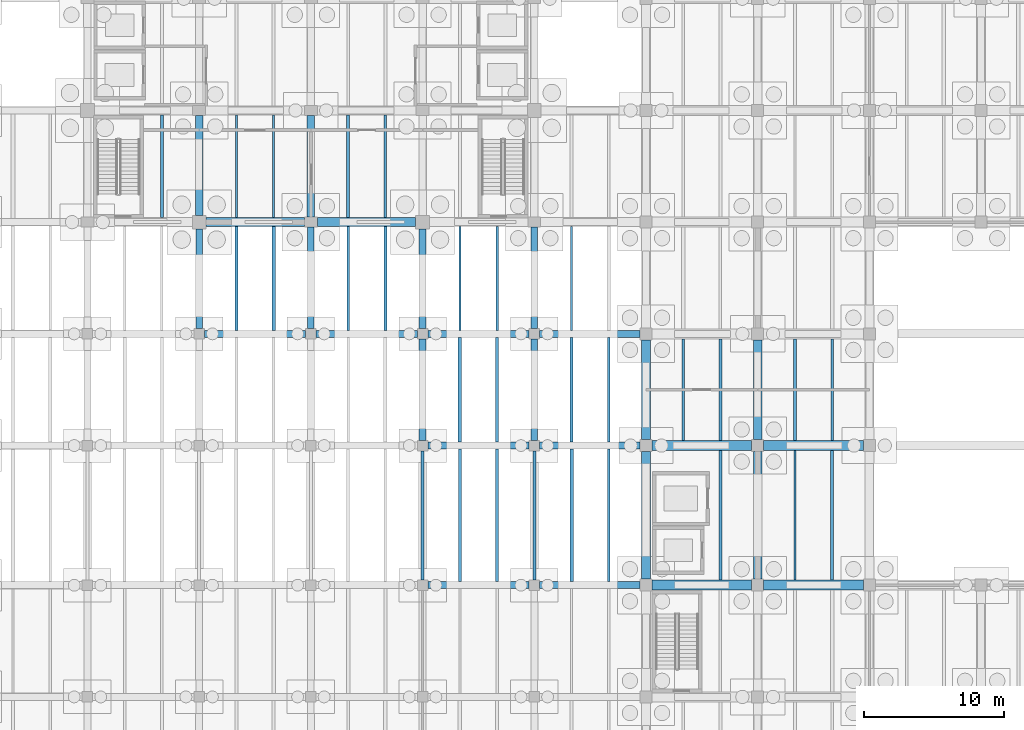
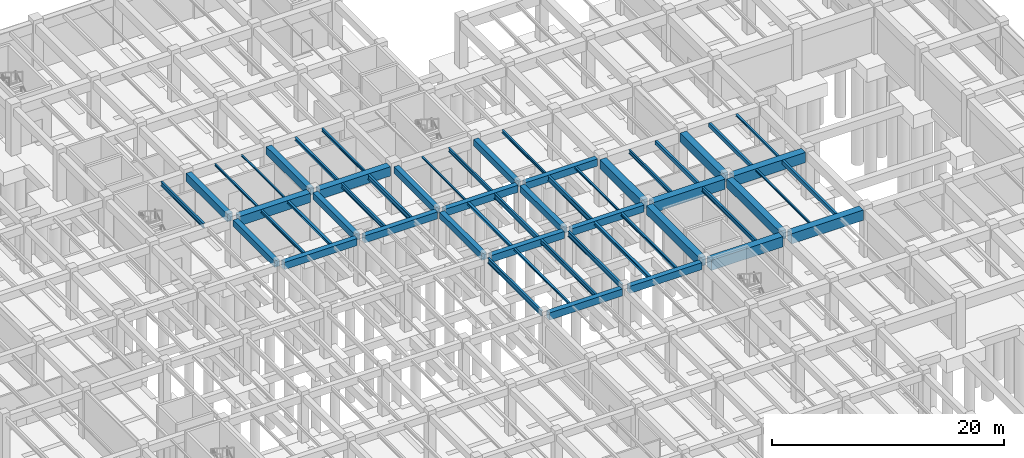
# One storey, part 18 of 44: 55 beams.
"""IFC4 building model written with IfcOpenShell, lengths in metres."""

from ifc_helpers import new_model, si_unit, direction, frame, origin, origin_2d, place, context, subcontext, project, spatial, rectangle, i_section, extrude, material, material_profile, profile_set, type_object, element, save


model = new_model("IFC4")

# Units and contexts
model_context = context("Model", 3, precision=1e-05, world=origin(), true_north=direction((0.0, 1.0)))
body_context = subcontext(model_context, "Body", "Model", "MODEL_VIEW")
ifc_project = project(units=[si_unit("LENGTHUNIT", "METRE"), si_unit("AREAUNIT", "SQUARE_METRE"), si_unit("VOLUMEUNIT", "CUBIC_METRE"), si_unit("PLANEANGLEUNIT", "RADIAN"), si_unit("MASSUNIT", "GRAM", prefix="KILO")], contexts=[model_context])

# Site, building, storey
site_placement = place(None, origin())
site = spatial("IfcSite", under=ifc_project, at=site_placement, CompositionType="ELEMENT")
building_placement = place(site_placement, origin())
building = spatial("IfcBuilding", under=site, at=building_placement, Name="Pecanmere Concourse Central Library", CompositionType="ELEMENT")
storey_placement = place(building_placement, frame((0.0, 0.0, -5.39990234375)))
storey = spatial("IfcBuildingStorey", under=building, at=storey_placement, Name="B1", CompositionType="ELEMENT", Elevation=-5.39990234375)

# Beams
ifc_material_1 = material(Name="Concrete C40/50", Category="concrete")
ifc_material_profile_1 = material_profile(ifc_material_1, rectangle(XDim=0.47998046875, YDim=0.679931640625, at=origin_2d()), Name="RC 480x680")
ifc_profile_set_1 = profile_set([ifc_material_profile_1], Name="Concrete C40/50")
beam_type_1 = type_object("IfcBeamType", Name="GRD_480x680", PredefinedType="USERDEFINED", material=ifc_profile_set_1)
beam_1_placement = place(storey_placement, frame((80.0, 82.375, 4.639892578125), z_axis=(0.0, 1.0, 0.0), x_axis=(-1.0, 0.0, 0.0)))
element("IfcBeam", 1, at=beam_1_placement, inside=storey, type_object=beam_type_1, Name="Primary Girder Y L01-0303", ObjectType="GIRDER", PredefinedType="USERDEFINED", context=body_context, shape_type="SweptSolid", body=[
    extrude(rectangle(XDim=0.47998046875, YDim=0.679931640625, at=origin_2d()), origin(), (0.0, 0.0, 1.0), 7.135009765625),
])
beam_2_placement = place(storey_placement, frame((88.0, 82.375, 4.639892578125), z_axis=(0.0, 1.0, 0.0), x_axis=(-1.0, 0.0, 0.0)))
element("IfcBeam", 2, at=beam_2_placement, inside=storey, type_object=beam_type_1, Name="Primary Girder Y L01-0315", ObjectType="GIRDER", PredefinedType="USERDEFINED", context=body_context, shape_type="SweptSolid", body=[
    extrude(rectangle(XDim=0.47998046875, YDim=0.679931640625, at=origin_2d()), origin(), (0.0, 0.0, 1.0), 7.264892578125),
])
beam_3_placement = place(storey_placement, frame((96.0, 74.375, 4.639892578125), z_axis=(0.0, 1.0, 0.0), x_axis=(-1.0, 0.0, 0.0)))
element("IfcBeam", 3, at=beam_3_placement, inside=storey, type_object=beam_type_1, Name="Primary Girder Y L01-0326", ObjectType="GIRDER", PredefinedType="USERDEFINED", context=body_context, shape_type="SweptSolid", body=[
    extrude(rectangle(XDim=0.47998046875, YDim=0.679931640625, at=origin_2d()), origin(), (0.0, 0.0, 1.0), 7.25),
])
beam_4_placement = place(storey_placement, frame((96.0, 82.375, 4.639892578125), z_axis=(0.0, 1.0, 0.0), x_axis=(-1.0, 0.0, 0.0)))
element("IfcBeam", 4, at=beam_4_placement, inside=storey, type_object=beam_type_1, Name="Primary Girder Y L01-0327", ObjectType="GIRDER", PredefinedType="USERDEFINED", context=body_context, shape_type="SweptSolid", body=[
    extrude(rectangle(XDim=0.47998046875, YDim=0.679931640625, at=origin_2d()), origin(), (0.0, 0.0, 1.0), 7.135009765625),
])
beam_5_placement = place(storey_placement, frame((104.0, 74.375, 4.639892578125), z_axis=(0.0, 1.0, 0.0), x_axis=(-1.0, 0.0, 0.0)))
element("IfcBeam", 5, at=beam_5_placement, inside=storey, type_object=beam_type_1, Name="Primary Girder Y L01-0338", ObjectType="GIRDER", PredefinedType="USERDEFINED", context=body_context, shape_type="SweptSolid", body=[
    extrude(rectangle(XDim=0.47998046875, YDim=0.679931640625, at=origin_2d()), origin(), (0.0, 0.0, 1.0), 7.25),
])
beam_6_placement = place(storey_placement, frame((104.0, 82.375, 4.639892578125), z_axis=(0.0, 1.0, 0.0), x_axis=(-1.0, 0.0, 0.0)))
element("IfcBeam", 6, at=beam_6_placement, inside=storey, type_object=beam_type_1, Name="Primary Girder Y L01-0339", ObjectType="GIRDER", PredefinedType="USERDEFINED", context=body_context, shape_type="SweptSolid", body=[
    extrude(rectangle(XDim=0.47998046875, YDim=0.679931640625, at=origin_2d()), origin(), (0.0, 0.0, 1.0), 7.264892578125),
])
ifc_material_2 = material(Name="Concrete C40/50", Category="concrete")
ifc_material_profile_2 = material_profile(ifc_material_2, rectangle(XDim=0.5, YDim=0.739990234375, at=origin_2d()), Name="RC 500x740")
ifc_profile_set_2 = profile_set([ifc_material_profile_2], Name="Concrete C40/50")
beam_type_2 = type_object("IfcBeamType", Name="GRD_500x740", PredefinedType="USERDEFINED", material=ifc_profile_set_2)
beam_7_placement = place(storey_placement, frame((96.375, 64.0, 4.60986328125), z_axis=(1.0, 0.0, 0.0), x_axis=(0.0, 1.0, 0.0)))
element("IfcBeam", 7, at=beam_7_placement, inside=storey, type_object=beam_type_2, Name="Primary Girder X L01-0126", ObjectType="GIRDER", PredefinedType="USERDEFINED", context=body_context, shape_type="SweptSolid", body=[
    extrude(rectangle(XDim=0.5, YDim=0.739990234375, at=origin_2d()), origin(), (0.0, 0.0, 1.0), 7.25),
])
beam_8_placement = place(storey_placement, frame((104.375, 64.0, 4.60986328125), z_axis=(1.0, 0.0, 0.0), x_axis=(0.0, 1.0, 0.0)))
element("IfcBeam", 8, at=beam_8_placement, inside=storey, type_object=beam_type_2, Name="Primary Girder X L01-0127", ObjectType="GIRDER", PredefinedType="USERDEFINED", context=body_context, shape_type="SweptSolid", body=[
    extrude(rectangle(XDim=0.5, YDim=0.739990234375, at=origin_2d()), origin(), (0.0, 0.0, 1.0), 7.195068359375),
])
beam_9_placement = place(storey_placement, frame((96.375, 74.0, 4.60986328125), z_axis=(1.0, 0.0, 0.0), x_axis=(0.0, 1.0, 0.0)))
element("IfcBeam", 9, at=beam_9_placement, inside=storey, type_object=beam_type_2, Name="Primary Girder X L01-0140", ObjectType="GIRDER", PredefinedType="USERDEFINED", context=body_context, shape_type="SweptSolid", body=[
    extrude(rectangle(XDim=0.5, YDim=0.739990234375, at=origin_2d()), origin(), (0.0, 0.0, 1.0), 7.25),
])
beam_10_placement = place(storey_placement, frame((104.375, 74.0, 4.60986328125), z_axis=(1.0, 0.0, 0.0), x_axis=(0.0, 1.0, 0.0)))
element("IfcBeam", 10, at=beam_10_placement, inside=storey, type_object=beam_type_2, Name="Primary Girder X L01-0141", ObjectType="GIRDER", PredefinedType="USERDEFINED", context=body_context, shape_type="SweptSolid", body=[
    extrude(rectangle(XDim=0.5, YDim=0.739990234375, at=origin_2d()), origin(), (0.0, 0.0, 1.0), 7.195068359375),
])
for number, where, z_axis, x_axis, name in (
    (11, (80.375, 82.0, 4.60986328125), (1.0, 0.0, 0.0), (0.0, 1.0, 0.0), "Primary Girder X L01-0150"),
    (12, (88.375, 82.0, 4.60986328125), (1.0, 0.0, 0.0), (0.0, 1.0, 0.0), "Primary Girder X L01-0151"),
    (13, (96.375, 82.0, 4.60986328125), (1.0, 0.0, 0.0), (0.0, 1.0, 0.0), "Primary Girder X L01-0152"),
):
    element("IfcBeam", number, at=place(storey_placement, frame(where, z_axis=z_axis, x_axis=x_axis)), inside=storey, type_object=beam_type_2, Name=name, ObjectType="GIRDER", PredefinedType="USERDEFINED", context=body_context, shape_type="SweptSolid", body=[
        extrude(rectangle(XDim=0.5, YDim=0.739990234375, at=origin_2d()), origin(), (0.0, 0.0, 1.0), 7.25),
    ])
beam_11_placement = place(storey_placement, frame((104.375, 82.0, 4.60986328125), z_axis=(1.0, 0.0, 0.0), x_axis=(0.0, 1.0, 0.0)))
element("IfcBeam", 14, at=beam_11_placement, inside=storey, type_object=beam_type_2, Name="Primary Girder X L01-0153", ObjectType="GIRDER", PredefinedType="USERDEFINED", context=body_context, shape_type="SweptSolid", body=[
    extrude(rectangle(XDim=0.5, YDim=0.739990234375, at=origin_2d()), origin(), (0.0, 0.0, 1.0), 7.195068359375),
])
ifc_material_3 = material(Name="Concrete C40/50", Category="concrete")
ifc_material_profile_3 = material_profile(ifc_material_3, rectangle(XDim=0.5400390625, YDim=0.800048828125, at=origin_2d()), Name="RC 540x800")
ifc_profile_set_3 = profile_set([ifc_material_profile_3], Name="Concrete C40/50")
beam_type_3 = type_object("IfcBeamType", Name="GRD_540x800", PredefinedType="USERDEFINED", material=ifc_profile_set_3)
beam_12_placement = place(storey_placement, frame((80.0, 90.489990234375, 4.579833984375), z_axis=(0.0, 1.0, 0.0), x_axis=(-1.0, 0.0, 0.0)))
element("IfcBeam", 15, at=beam_12_placement, inside=storey, type_object=beam_type_3, Name="Primary Girder Y L01-0304", ObjectType="GIRDER", PredefinedType="USERDEFINED", context=body_context, shape_type="SweptSolid", body=[
    extrude(rectangle(XDim=0.5400390625, YDim=0.800048828125, at=origin_2d()), origin(), (0.0, 0.0, 1.0), 7.14990234375),
])
beam_13_placement = place(storey_placement, frame((88.0, 90.360107421875, 4.579833984375), z_axis=(0.0, 1.0, 0.0), x_axis=(-1.0, 0.0, 0.0)))
element("IfcBeam", 16, at=beam_13_placement, inside=storey, type_object=beam_type_3, Name="Primary Girder Y L01-0316", ObjectType="GIRDER", PredefinedType="USERDEFINED", context=body_context, shape_type="SweptSolid", body=[
    extrude(rectangle(XDim=0.5400390625, YDim=0.800048828125, at=origin_2d()), origin(), (0.0, 0.0, 1.0), 7.27978515625),
])
ifc_material_4 = material(Name="Concrete C40/50", Category="concrete")
ifc_material_profile_4 = material_profile(ifc_material_4, rectangle(XDim=0.6201171875, YDim=0.919921875, at=origin_2d()), Name="RC 620x920")
ifc_profile_set_4 = profile_set([ifc_material_profile_4], Name="Concrete C40/50")
beam_type_4 = type_object("IfcBeamType", Name="GRD_620x920", PredefinedType="USERDEFINED", material=ifc_profile_set_4)
for number, where, z_axis, x_axis, name in (
    (17, (112.0, 64.429931640625, 4.52001953125), (0.0, 1.0, 0.0), (-1.0, 0.0, 0.0), "Primary Girder Y L01-0349"),
    (18, (120.0, 64.429931640625, 4.52001953125), (0.0, 1.0, 0.0), (-1.0, 0.0, 0.0), "Primary Girder Y L01-0359"),
):
    element("IfcBeam", number, at=place(storey_placement, frame(where, z_axis=z_axis, x_axis=x_axis)), inside=storey, type_object=beam_type_4, Name=name, ObjectType="GIRDER", PredefinedType="USERDEFINED", context=body_context, shape_type="SweptSolid", body=[
        extrude(rectangle(XDim=0.6201171875, YDim=0.919921875, at=origin_2d()), origin(), (0.0, 0.0, 1.0), 9.14013671875),
    ])
ifc_material_5 = material(Name="Concrete C40/50", Category="concrete")
ifc_material_profile_5 = material_profile(ifc_material_5, rectangle(XDim=0.639892578125, YDim=0.949951171875, at=origin_2d()), Name="RC 640x950")
ifc_profile_set_5 = profile_set([ifc_material_profile_5], Name="Concrete C40/50")
beam_type_5 = type_object("IfcBeamType", Name="GRD_640x950", PredefinedType="USERDEFINED", material=ifc_profile_set_5)
for number, where, z_axis, x_axis, name in (
    (19, (112.0, 74.429931640625, 4.5048828125), (0.0, 1.0, 0.0), (-1.0, 0.0, 0.0), "Primary Girder Y L01-0350"),
    (20, (120.0, 74.429931640625, 4.5048828125), (0.0, 1.0, 0.0), (-1.0, 0.0, 0.0), "Primary Girder Y L01-0360"),
):
    element("IfcBeam", number, at=place(storey_placement, frame(where, z_axis=z_axis, x_axis=x_axis)), inside=storey, type_object=beam_type_5, Name=name, ObjectType="GIRDER", PredefinedType="USERDEFINED", context=body_context, shape_type="SweptSolid", body=[
        extrude(rectangle(XDim=0.639892578125, YDim=0.949951171875, at=origin_2d()), origin(), (0.0, 0.0, 1.0), 7.14013671875),
    ])
ifc_material_6 = material(Name="Concrete C40/50", Category="concrete")
ifc_material_profile_6 = material_profile(ifc_material_6, rectangle(XDim=0.659912109375, YDim=0.97998046875, at=origin_2d()), Name="RC 660x980")
ifc_profile_set_6 = profile_set([ifc_material_profile_6], Name="Concrete C40/50")
beam_type_6 = type_object("IfcBeamType", Name="GRD_660x980", PredefinedType="USERDEFINED", material=ifc_profile_set_6)
for number, where, z_axis, x_axis, name in (
    (21, (80.489990234375, 90.0, 4.489990234375), (1.0, 0.0, 0.0), (0.0, 1.0, 0.0), "Primary Girder X L01-0164"),
    (22, (88.4599609375, 90.0, 4.489990234375), (1.0, 0.0, 0.0), (0.0, 1.0, 0.0), "Primary Girder X L01-0165"),
):
    element("IfcBeam", number, at=place(storey_placement, frame(where, z_axis=z_axis, x_axis=x_axis)), inside=storey, type_object=beam_type_6, Name=name, ObjectType="GIRDER", PredefinedType="USERDEFINED", context=body_context, shape_type="SweptSolid", body=[
        extrude(rectangle(XDim=0.659912109375, YDim=0.97998046875, at=origin_2d()), origin(), (0.0, 0.0, 1.0), 7.050048828125),
    ])
ifc_material_7 = material(Name="Concrete C40/50", Category="concrete")
ifc_material_profile_7 = material_profile(ifc_material_7, rectangle(XDim=0.719970703125, YDim=1.080078125, at=origin_2d()), Name="RC 720x1080")
ifc_profile_set_7 = profile_set([ifc_material_profile_7], Name="Concrete C40/50")
beam_type_7 = type_object("IfcBeamType", Name="GRD_720x1080", PredefinedType="USERDEFINED", material=ifc_profile_set_7)
for number, where, z_axis, x_axis, name in (
    (23, (112.429931640625, 64.0, 4.43994140625), (1.0, 0.0, 0.0), (0.0, 1.0, 0.0), "Primary Girder X L01-0128"),
    (24, (120.429931640625, 64.0, 4.43994140625), (1.0, 0.0, 0.0), (0.0, 1.0, 0.0), "Primary Girder X L01-0129"),
    (25, (112.429931640625, 74.0, 4.43994140625), (1.0, 0.0, 0.0), (0.0, 1.0, 0.0), "Primary Girder X L01-0142"),
    (26, (120.429931640625, 74.0, 4.43994140625), (1.0, 0.0, 0.0), (0.0, 1.0, 0.0), "Primary Girder X L01-0143"),
):
    element("IfcBeam", number, at=place(storey_placement, frame(where, z_axis=z_axis, x_axis=x_axis)), inside=storey, type_object=beam_type_7, Name=name, ObjectType="GIRDER", PredefinedType="USERDEFINED", context=body_context, shape_type="SweptSolid", body=[
        extrude(rectangle(XDim=0.719970703125, YDim=1.080078125, at=origin_2d()), origin(), (0.0, 0.0, 1.0), 7.14013671875),
    ])
ifc_material_8 = material(Name="Concrete C40/50", Category="concrete")
ifc_material_profile_8 = material_profile(ifc_material_8, rectangle(XDim=0.219970703125, YDim=0.409912109375, at=origin_2d()), Name="RC 220x410")
ifc_profile_set_8 = profile_set([ifc_material_profile_8], Name="Concrete C40/50")
beam_type_8 = type_object("IfcBeamType", Name="JST_RC_220x410", PredefinedType="JOIST", material=ifc_profile_set_8)
beam_14_placement = place(storey_placement, frame((117.333251953125, 74.360107421875, 4.77490234375), z_axis=(0.0, 1.0, 0.0), x_axis=(-1.0, 0.0, 0.0)))
element("IfcBeam", 27, at=beam_14_placement, inside=storey, type_object=beam_type_8, Name="Secondary Floor Joist L01-0661", PredefinedType="JOIST", context=body_context, shape_type="SweptSolid", body=[
    extrude(rectangle(XDim=0.219970703125, YDim=0.409912109375, at=origin_2d()), origin(), (0.0, 0.0, 1.0), 7.27978515625),
])
beam_15_placement = place(storey_placement, frame((125.333251953125, 64.360107421875, 4.77490234375), z_axis=(0.0, 1.0, 0.0), x_axis=(-1.0, 0.0, 0.0)))
element("IfcBeam", 28, at=beam_15_placement, inside=storey, type_object=beam_type_8, Name="Secondary Floor Joist L01-0673", PredefinedType="JOIST", context=body_context, shape_type="SweptSolid", body=[
    extrude(rectangle(XDim=0.219970703125, YDim=0.409912109375, at=origin_2d()), origin(), (0.0, 0.0, 1.0), 9.27978515625),
])
beam_16_placement = place(storey_placement, frame((122.666748046875, 74.360107421875, 4.77490234375), z_axis=(0.0, 1.0, 0.0), x_axis=(-1.0, 0.0, 0.0)))
element("IfcBeam", 29, at=beam_16_placement, inside=storey, type_object=beam_type_8, Name="Secondary Floor Joist L01-0674", PredefinedType="JOIST", context=body_context, shape_type="SweptSolid", body=[
    extrude(rectangle(XDim=0.219970703125, YDim=0.409912109375, at=origin_2d()), origin(), (0.0, 0.0, 1.0), 7.27978515625),
])
ifc_material_9 = material(Name="Structural steel ASTM A992 Grade 50", Category="steel")
ifc_material_profile_9 = material_profile(ifc_material_9, i_section(OverallWidth=0.152099609375, OverallDepth=0.152099609375, WebThickness=0.005859375, FlangeThickness=0.006591796875, at=origin_2d()), Name="W150x22.5")
ifc_profile_set_9 = profile_set([ifc_material_profile_9], Name="Structural steel ASTM A992 Grade 50")
beam_type_9 = type_object("IfcBeamType", Name="SBM_W150x22", PredefinedType="LINTEL", material=ifc_profile_set_9)
beam_17_placement = place(storey_placement, frame((85.333251953125, 90.330078125, 4.90380859375), z_axis=(0.0, 1.0, 0.0), x_axis=(-1.0, 0.0, 0.0)))
element("IfcBeam", 30, at=beam_17_placement, inside=storey, type_object=beam_type_9, Name="Secondary Floor Joist L01-0581", PredefinedType="LINTEL", context=body_context, shape_type="SweptSolid", body=[
    extrude(i_section(OverallWidth=0.152099609375, OverallDepth=0.152099609375, WebThickness=0.005859375, FlangeThickness=0.006591796875, at=origin_2d()), origin(), (0.0, 0.0, 1.0), 7.33984375),
])
beam_18_placement = place(storey_placement, frame((98.666748046875, 82.25, 4.90380859375), z_axis=(0.0, 1.0, 0.0), x_axis=(-1.0, 0.0, 0.0)))
element("IfcBeam", 31, at=beam_18_placement, inside=storey, type_object=beam_type_9, Name="Secondary Floor Joist L01-0626", PredefinedType="LINTEL", context=body_context, shape_type="SweptSolid", body=[
    extrude(i_section(OverallWidth=0.152099609375, OverallDepth=0.152099609375, WebThickness=0.005859375, FlangeThickness=0.006591796875, at=origin_2d()), origin(), (0.0, 0.0, 1.0), 7.419921875),
])
ifc_material_10 = material(Name="Structural steel ASTM A992 Grade 50", Category="steel")
ifc_material_profile_10 = material_profile(ifc_material_10, i_section(OverallWidth=0.1650390625, OverallDepth=0.200927734375, WebThickness=0.006103515625, FlangeThickness=0.01025390625, at=origin_2d()), Name="W200x35.9")
ifc_profile_set_10 = profile_set([ifc_material_profile_10], Name="Structural steel ASTM A992 Grade 50")
beam_type_10 = type_object("IfcBeamType", Name="SBM_W200x36", PredefinedType="LINTEL", material=ifc_profile_set_10)
beam_19_placement = place(storey_placement, frame((82.666748046875, 90.330078125, 4.87939453125), z_axis=(0.0, 1.0, 0.0), x_axis=(-1.0, 0.0, 0.0)))
element("IfcBeam", 32, at=beam_19_placement, inside=storey, type_object=beam_type_10, Name="Secondary Floor Joist L01-0580", PredefinedType="LINTEL", context=body_context, shape_type="SweptSolid", body=[
    extrude(i_section(OverallWidth=0.1650390625, OverallDepth=0.200927734375, WebThickness=0.006103515625, FlangeThickness=0.01025390625, at=origin_2d()), origin(), (0.0, 0.0, 1.0), 7.33984375),
])
beam_20_placement = place(storey_placement, frame((109.333251953125, 74.25, 4.87939453125), z_axis=(0.0, 1.0, 0.0), x_axis=(-1.0, 0.0, 0.0)))
element("IfcBeam", 33, at=beam_20_placement, inside=storey, type_object=beam_type_10, Name="Secondary Floor Joist L01-0645", PredefinedType="LINTEL", context=body_context, shape_type="SweptSolid", body=[
    extrude(i_section(OverallWidth=0.1650390625, OverallDepth=0.200927734375, WebThickness=0.006103515625, FlangeThickness=0.01025390625, at=origin_2d()), origin(), (0.0, 0.0, 1.0), 7.5),
])
beam_21_placement = place(storey_placement, frame((122.666748046875, 64.360107421875, 4.87939453125), z_axis=(0.0, 1.0, 0.0), x_axis=(-1.0, 0.0, 0.0)))
element("IfcBeam", 34, at=beam_21_placement, inside=storey, type_object=beam_type_10, Name="Secondary Floor Joist L01-0672", PredefinedType="LINTEL", context=body_context, shape_type="SweptSolid", body=[
    extrude(i_section(OverallWidth=0.1650390625, OverallDepth=0.200927734375, WebThickness=0.006103515625, FlangeThickness=0.01025390625, at=origin_2d()), origin(), (0.0, 0.0, 1.0), 9.27978515625),
])
ifc_material_11 = material(Name="Structural steel ASTM A992 Grade 50", Category="steel")
ifc_material_profile_11 = material_profile(ifc_material_11, i_section(OverallWidth=0.2041015625, OverallDepth=0.2060546875, WebThickness=0.0078125, FlangeThickness=0.0126953125, at=origin_2d()), Name="W200x52")
ifc_profile_set_11 = profile_set([ifc_material_profile_11], Name="Structural steel ASTM A992 Grade 50")
beam_type_11 = type_object("IfcBeamType", Name="SBM_W200x52", PredefinedType="JOIST", material=ifc_profile_set_11)
beam_22_placement = place(storey_placement, frame((98.666748046875, 64.25, 4.876953125), z_axis=(0.0, 1.0, 0.0), x_axis=(-1.0, 0.0, 0.0)))
element("IfcBeam", 35, at=beam_22_placement, inside=storey, type_object=beam_type_11, Name="Secondary Floor Joist L01-0622", PredefinedType="JOIST", context=body_context, shape_type="SweptSolid", body=[
    extrude(i_section(OverallWidth=0.2041015625, OverallDepth=0.2060546875, WebThickness=0.0078125, FlangeThickness=0.0126953125, at=origin_2d()), origin(), (0.0, 0.0, 1.0), 9.5),
])
beam_23_placement = place(storey_placement, frame((125.333251953125, 74.360107421875, 4.876953125), z_axis=(0.0, 1.0, 0.0), x_axis=(-1.0, 0.0, 0.0)))
element("IfcBeam", 36, at=beam_23_placement, inside=storey, type_object=beam_type_11, Name="Secondary Floor Joist L01-0675", PredefinedType="JOIST", context=body_context, shape_type="SweptSolid", body=[
    extrude(i_section(OverallWidth=0.2041015625, OverallDepth=0.2060546875, WebThickness=0.0078125, FlangeThickness=0.0126953125, at=origin_2d()), origin(), (0.0, 0.0, 1.0), 7.27978515625),
])
ifc_material_12 = material(Name="Structural steel ASTM A992 Grade 50", Category="steel")
ifc_material_profile_12 = material_profile(ifc_material_12, i_section(OverallWidth=0.25390625, OverallDepth=0.2529296875, WebThickness=0.008544921875, FlangeThickness=0.01416015625, at=origin_2d()), Name="W250x73")
ifc_profile_set_12 = profile_set([ifc_material_profile_12], Name="Structural steel ASTM A992 Grade 50")
beam_type_12 = type_object("IfcBeamType", Name="SBM_W250x73", PredefinedType="BEAM", material=ifc_profile_set_12)
beam_24_placement = place(storey_placement, frame((85.333251953125, 82.25, 4.853515625), z_axis=(0.0, 1.0, 0.0), x_axis=(-1.0, 0.0, 0.0)))
element("IfcBeam", 37, at=beam_24_placement, inside=storey, type_object=beam_type_12, Name="Secondary Floor Joist L01-0579", PredefinedType="BEAM", context=body_context, shape_type="SweptSolid", body=[
    extrude(i_section(OverallWidth=0.25390625, OverallDepth=0.2529296875, WebThickness=0.008544921875, FlangeThickness=0.01416015625, at=origin_2d()), origin(), (0.0, 0.0, 1.0), 7.419921875),
])
beam_25_placement = place(storey_placement, frame((98.666748046875, 74.25, 4.853515625), z_axis=(0.0, 1.0, 0.0), x_axis=(-1.0, 0.0, 0.0)))
element("IfcBeam", 38, at=beam_25_placement, inside=storey, type_object=beam_type_12, Name="Secondary Floor Joist L01-0624", PredefinedType="BEAM", context=body_context, shape_type="SweptSolid", body=[
    extrude(i_section(OverallWidth=0.25390625, OverallDepth=0.2529296875, WebThickness=0.008544921875, FlangeThickness=0.01416015625, at=origin_2d()), origin(), (0.0, 0.0, 1.0), 7.5),
])
ifc_material_13 = material(Name="Structural steel ASTM A992 Grade 50", Category="steel")
ifc_material_profile_13 = material_profile(ifc_material_13, i_section(OverallWidth=0.1669921875, OverallDepth=0.31689453125, WebThickness=0.007568359375, FlangeThickness=0.01318359375, at=origin_2d()), Name="W310x52")
ifc_profile_set_13 = profile_set([ifc_material_profile_13], Name="Structural steel ASTM A992 Grade 50")
beam_type_13 = type_object("IfcBeamType", Name="SBM_W310x52", PredefinedType="JOIST", material=ifc_profile_set_13)
beam_26_placement = place(storey_placement, frame((93.333251953125, 90.330078125, 4.8212890625), z_axis=(0.0, 1.0, 0.0), x_axis=(-1.0, 0.0, 0.0)))
element("IfcBeam", 39, at=beam_26_placement, inside=storey, type_object=beam_type_13, Name="Secondary Floor Joist L01-0605", PredefinedType="JOIST", context=body_context, shape_type="SweptSolid", body=[
    extrude(i_section(OverallWidth=0.1669921875, OverallDepth=0.31689453125, WebThickness=0.007568359375, FlangeThickness=0.01318359375, at=origin_2d()), origin(), (0.0, 0.0, 1.0), 7.33984375),
])
beam_27_placement = place(storey_placement, frame((106.666748046875, 82.25, 4.8212890625), z_axis=(0.0, 1.0, 0.0), x_axis=(-1.0, 0.0, 0.0)))
element("IfcBeam", 40, at=beam_27_placement, inside=storey, type_object=beam_type_13, Name="Secondary Floor Joist L01-0646", PredefinedType="JOIST", context=body_context, shape_type="SweptSolid", body=[
    extrude(i_section(OverallWidth=0.1669921875, OverallDepth=0.31689453125, WebThickness=0.007568359375, FlangeThickness=0.01318359375, at=origin_2d()), origin(), (0.0, 0.0, 1.0), 7.419921875),
])
ifc_material_14 = material(Name="Structural steel ASTM A992 Grade 50", Category="steel")
ifc_material_profile_14 = material_profile(ifc_material_14, i_section(OverallWidth=0.205078125, OverallDepth=0.31005859375, WebThickness=0.009521484375, FlangeThickness=0.016357421875, at=origin_2d()), Name="W310x74")
ifc_profile_set_14 = profile_set([ifc_material_profile_14], Name="Structural steel ASTM A992 Grade 50")
beam_type_14 = type_object("IfcBeamType", Name="SBM_W310x74", PredefinedType="BEAM", material=ifc_profile_set_14)
beam_28_placement = place(storey_placement, frame((82.666748046875, 82.25, 4.824951171875), z_axis=(0.0, 1.0, 0.0), x_axis=(-1.0, 0.0, 0.0)))
element("IfcBeam", 41, at=beam_28_placement, inside=storey, type_object=beam_type_14, Name="Secondary Floor Joist L01-0578", PredefinedType="BEAM", context=body_context, shape_type="SweptSolid", body=[
    extrude(i_section(OverallWidth=0.205078125, OverallDepth=0.31005859375, WebThickness=0.009521484375, FlangeThickness=0.016357421875, at=origin_2d()), origin(), (0.0, 0.0, 1.0), 7.419921875),
])
beam_29_placement = place(storey_placement, frame((109.333251953125, 64.25, 4.824951171875), z_axis=(0.0, 1.0, 0.0), x_axis=(-1.0, 0.0, 0.0)))
element("IfcBeam", 42, at=beam_29_placement, inside=storey, type_object=beam_type_14, Name="Secondary Floor Joist L01-0643", PredefinedType="BEAM", context=body_context, shape_type="SweptSolid", body=[
    extrude(i_section(OverallWidth=0.205078125, OverallDepth=0.31005859375, WebThickness=0.009521484375, FlangeThickness=0.016357421875, at=origin_2d()), origin(), (0.0, 0.0, 1.0), 9.5),
])
ifc_material_15 = material(Name="Structural steel ASTM A992 Grade 50", Category="steel")
ifc_material_profile_15 = material_profile(ifc_material_15, i_section(OverallWidth=0.202880859375, OverallDepth=0.346923828125, WebThickness=0.0078125, FlangeThickness=0.013427734375, at=origin_2d()), Name="W360x64")
ifc_profile_set_15 = profile_set([ifc_material_profile_15], Name="Structural steel ASTM A992 Grade 50")
beam_type_15 = type_object("IfcBeamType", Name="SBM_W360x64", PredefinedType="JOIST", material=ifc_profile_set_15)
beam_30_placement = place(storey_placement, frame((90.666748046875, 90.330078125, 4.806396484375), z_axis=(0.0, 1.0, 0.0), x_axis=(-1.0, 0.0, 0.0)))
element("IfcBeam", 43, at=beam_30_placement, inside=storey, type_object=beam_type_15, Name="Secondary Floor Joist L01-0604", PredefinedType="JOIST", context=body_context, shape_type="SweptSolid", body=[
    extrude(i_section(OverallWidth=0.202880859375, OverallDepth=0.346923828125, WebThickness=0.0078125, FlangeThickness=0.013427734375, at=origin_2d()), origin(), (0.0, 0.0, 1.0), 7.33984375),
])
ifc_material_16 = material(Name="Structural steel ASTM A992 Grade 50", Category="steel")
ifc_material_profile_16 = material_profile(ifc_material_16, i_section(OverallWidth=0.25390625, OverallDepth=0.35302734375, WebThickness=0.009521484375, FlangeThickness=0.016357421875, at=origin_2d()), Name="W360x91")
ifc_profile_set_16 = profile_set([ifc_material_profile_16], Name="Structural steel ASTM A992 Grade 50")
beam_type_16 = type_object("IfcBeamType", Name="SBM_W360x91", PredefinedType="BEAM", material=ifc_profile_set_16)
beam_31_placement = place(storey_placement, frame((106.666748046875, 64.25, 4.803466796875), z_axis=(0.0, 1.0, 0.0), x_axis=(-1.0, 0.0, 0.0)))
element("IfcBeam", 44, at=beam_31_placement, inside=storey, type_object=beam_type_16, Name="Secondary Floor Joist L01-0642", PredefinedType="BEAM", context=body_context, shape_type="SweptSolid", body=[
    extrude(i_section(OverallWidth=0.25390625, OverallDepth=0.35302734375, WebThickness=0.009521484375, FlangeThickness=0.016357421875, at=origin_2d()), origin(), (0.0, 0.0, 1.0), 9.5),
])
ifc_material_17 = material(Name="Structural steel ASTM A992 Grade 50", Category="steel")
ifc_material_profile_17 = material_profile(ifc_material_17, i_section(OverallWidth=0.177978515625, OverallDepth=0.406982421875, WebThickness=0.0078125, FlangeThickness=0.0126953125, at=origin_2d()), Name="W410x60")
ifc_profile_set_17 = profile_set([ifc_material_profile_17], Name="Structural steel ASTM A992 Grade 50")
beam_type_17 = type_object("IfcBeamType", Name="SBM_W410x60", PredefinedType="JOIST", material=ifc_profile_set_17)
beam_32_placement = place(storey_placement, frame((101.333251953125, 82.25, 4.7763671875), z_axis=(0.0, 1.0, 0.0), x_axis=(-1.0, 0.0, 0.0)))
element("IfcBeam", 45, at=beam_32_placement, inside=storey, type_object=beam_type_17, Name="Secondary Floor Joist L01-0627", PredefinedType="JOIST", context=body_context, shape_type="SweptSolid", body=[
    extrude(i_section(OverallWidth=0.177978515625, OverallDepth=0.406982421875, WebThickness=0.0078125, FlangeThickness=0.0126953125, at=origin_2d()), origin(), (0.0, 0.0, 1.0), 7.419921875),
])
beam_33_placement = place(storey_placement, frame((114.666748046875, 74.360107421875, 4.7763671875), z_axis=(0.0, 1.0, 0.0), x_axis=(-1.0, 0.0, 0.0)))
element("IfcBeam", 46, at=beam_33_placement, inside=storey, type_object=beam_type_17, Name="Secondary Floor Joist L01-0660", PredefinedType="JOIST", context=body_context, shape_type="SweptSolid", body=[
    extrude(i_section(OverallWidth=0.177978515625, OverallDepth=0.406982421875, WebThickness=0.0078125, FlangeThickness=0.0126953125, at=origin_2d()), origin(), (0.0, 0.0, 1.0), 7.27978515625),
])
ifc_material_18 = material(Name="Structural steel ASTM A992 Grade 50", Category="steel")
ifc_material_profile_18 = material_profile(ifc_material_18, i_section(OverallWidth=0.194091796875, OverallDepth=0.468994140625, WebThickness=0.0126953125, FlangeThickness=0.0205078125, at=origin_2d()), Name="W460x106")
ifc_profile_set_18 = profile_set([ifc_material_profile_18], Name="Structural steel ASTM A992 Grade 50")
beam_type_18 = type_object("IfcBeamType", Name="SBM_W460x106", PredefinedType="USERDEFINED", material=ifc_profile_set_18)
beam_34_placement = place(storey_placement, frame((77.333251953125, 90.330078125, 4.745361328125), z_axis=(0.0, 1.0, 0.0), x_axis=(-1.0, 0.0, 0.0)))
element("IfcBeam", 47, at=beam_34_placement, inside=storey, type_object=beam_type_18, Name="Secondary Floor Joist L01-0559", ObjectType="GIRDER", PredefinedType="USERDEFINED", context=body_context, shape_type="SweptSolid", body=[
    extrude(i_section(OverallWidth=0.194091796875, OverallDepth=0.468994140625, WebThickness=0.0126953125, FlangeThickness=0.0205078125, at=origin_2d()), origin(), (0.0, 0.0, 1.0), 7.33984375),
])
beam_35_placement = place(storey_placement, frame((90.666748046875, 82.25, 4.745361328125), z_axis=(0.0, 1.0, 0.0), x_axis=(-1.0, 0.0, 0.0)))
element("IfcBeam", 48, at=beam_35_placement, inside=storey, type_object=beam_type_18, Name="Secondary Floor Joist L01-0602", ObjectType="GIRDER", PredefinedType="USERDEFINED", context=body_context, shape_type="SweptSolid", body=[
    extrude(i_section(OverallWidth=0.194091796875, OverallDepth=0.468994140625, WebThickness=0.0126953125, FlangeThickness=0.0205078125, at=origin_2d()), origin(), (0.0, 0.0, 1.0), 7.419921875),
])
beam_36_placement = place(storey_placement, frame((117.333251953125, 64.360107421875, 4.745361328125), z_axis=(0.0, 1.0, 0.0), x_axis=(-1.0, 0.0, 0.0)))
element("IfcBeam", 49, at=beam_36_placement, inside=storey, type_object=beam_type_18, Name="Secondary Floor Joist L01-0659", ObjectType="GIRDER", PredefinedType="USERDEFINED", context=body_context, shape_type="SweptSolid", body=[
    extrude(i_section(OverallWidth=0.194091796875, OverallDepth=0.468994140625, WebThickness=0.0126953125, FlangeThickness=0.0205078125, at=origin_2d()), origin(), (0.0, 0.0, 1.0), 9.27978515625),
])
ifc_material_19 = material(Name="Structural steel ASTM A992 Grade 50", Category="steel")
ifc_material_profile_19 = material_profile(ifc_material_19, i_section(OverallWidth=0.18994140625, OverallDepth=0.45703125, WebThickness=0.009033203125, FlangeThickness=0.014404296875, at=origin_2d()), Name="W460x74")
ifc_profile_set_19 = profile_set([ifc_material_profile_19], Name="Structural steel ASTM A992 Grade 50")
beam_type_19 = type_object("IfcBeamType", Name="SBM_W460x74", PredefinedType="BEAM", material=ifc_profile_set_19)
beam_37_placement = place(storey_placement, frame((101.333251953125, 64.25, 4.75146484375), z_axis=(0.0, 1.0, 0.0), x_axis=(-1.0, 0.0, 0.0)))
element("IfcBeam", 50, at=beam_37_placement, inside=storey, type_object=beam_type_19, Name="Secondary Floor Joist L01-0623", PredefinedType="BEAM", context=body_context, shape_type="SweptSolid", body=[
    extrude(i_section(OverallWidth=0.18994140625, OverallDepth=0.45703125, WebThickness=0.009033203125, FlangeThickness=0.014404296875, at=origin_2d()), origin(), (0.0, 0.0, 1.0), 9.5),
])
ifc_material_20 = material(Name="Structural steel ASTM A992 Grade 50", Category="steel")
ifc_material_profile_20 = material_profile(ifc_material_20, i_section(OverallWidth=0.2109375, OverallDepth=0.5390625, WebThickness=0.01171875, FlangeThickness=0.018798828125, at=origin_2d()), Name="W530x109")
ifc_profile_set_20 = profile_set([ifc_material_profile_20], Name="Structural steel ASTM A992 Grade 50")
beam_type_20 = type_object("IfcBeamType", Name="SBM_W530x109", PredefinedType="USERDEFINED", material=ifc_profile_set_20)
for number, where, z_axis, x_axis, name in (
    (51, (96.0, 64.375, 4.71044921875), (0.0, 1.0, 0.0), (-1.0, 0.0, 0.0), "Primary Girder Y L01-0325"),
    (52, (104.0, 64.375, 4.71044921875), (0.0, 1.0, 0.0), (-1.0, 0.0, 0.0), "Primary Girder Y L01-0337"),
):
    element("IfcBeam", number, at=place(storey_placement, frame(where, z_axis=z_axis, x_axis=x_axis)), inside=storey, type_object=beam_type_20, Name=name, ObjectType="GIRDER", PredefinedType="USERDEFINED", context=body_context, shape_type="SweptSolid", body=[
        extrude(i_section(OverallWidth=0.2109375, OverallDepth=0.5390625, WebThickness=0.01171875, FlangeThickness=0.018798828125, at=origin_2d()), origin(), (0.0, 0.0, 1.0), 9.25),
    ])
beam_38_placement = place(storey_placement, frame((93.333251953125, 82.25, 4.71044921875), z_axis=(0.0, 1.0, 0.0), x_axis=(-1.0, 0.0, 0.0)))
element("IfcBeam", 53, at=beam_38_placement, inside=storey, type_object=beam_type_20, Name="Secondary Floor Joist L01-0603", ObjectType="GIRDER", PredefinedType="USERDEFINED", context=body_context, shape_type="SweptSolid", body=[
    extrude(i_section(OverallWidth=0.2109375, OverallDepth=0.5390625, WebThickness=0.01171875, FlangeThickness=0.018798828125, at=origin_2d()), origin(), (0.0, 0.0, 1.0), 7.419921875),
])
beam_39_placement = place(storey_placement, frame((106.666748046875, 74.25, 4.71044921875), z_axis=(0.0, 1.0, 0.0), x_axis=(-1.0, 0.0, 0.0)))
element("IfcBeam", 54, at=beam_39_placement, inside=storey, type_object=beam_type_20, Name="Secondary Floor Joist L01-0644", ObjectType="GIRDER", PredefinedType="USERDEFINED", context=body_context, shape_type="SweptSolid", body=[
    extrude(i_section(OverallWidth=0.2109375, OverallDepth=0.5390625, WebThickness=0.01171875, FlangeThickness=0.018798828125, at=origin_2d()), origin(), (0.0, 0.0, 1.0), 7.5),
])
ifc_material_21 = material(Name="Structural steel ASTM A992 Grade 50", Category="steel")
ifc_material_profile_21 = material_profile(ifc_material_21, i_section(OverallWidth=0.208984375, OverallDepth=0.532958984375, WebThickness=0.01025390625, FlangeThickness=0.015625, at=origin_2d()), Name="W530x92")
ifc_profile_set_21 = profile_set([ifc_material_profile_21], Name="Structural steel ASTM A992 Grade 50")
beam_type_21 = type_object("IfcBeamType", Name="SBM_W530x92", PredefinedType="BEAM", material=ifc_profile_set_21)
beam_40_placement = place(storey_placement, frame((101.333251953125, 74.25, 4.71337890625), z_axis=(0.0, 1.0, 0.0), x_axis=(-1.0, 0.0, 0.0)))
element("IfcBeam", 55, at=beam_40_placement, inside=storey, type_object=beam_type_21, Name="Secondary Floor Joist L01-0625", PredefinedType="BEAM", context=body_context, shape_type="SweptSolid", body=[
    extrude(i_section(OverallWidth=0.208984375, OverallDepth=0.532958984375, WebThickness=0.01025390625, FlangeThickness=0.015625, at=origin_2d()), origin(), (0.0, 0.0, 1.0), 7.5),
])

save(model, "model.ifc")
